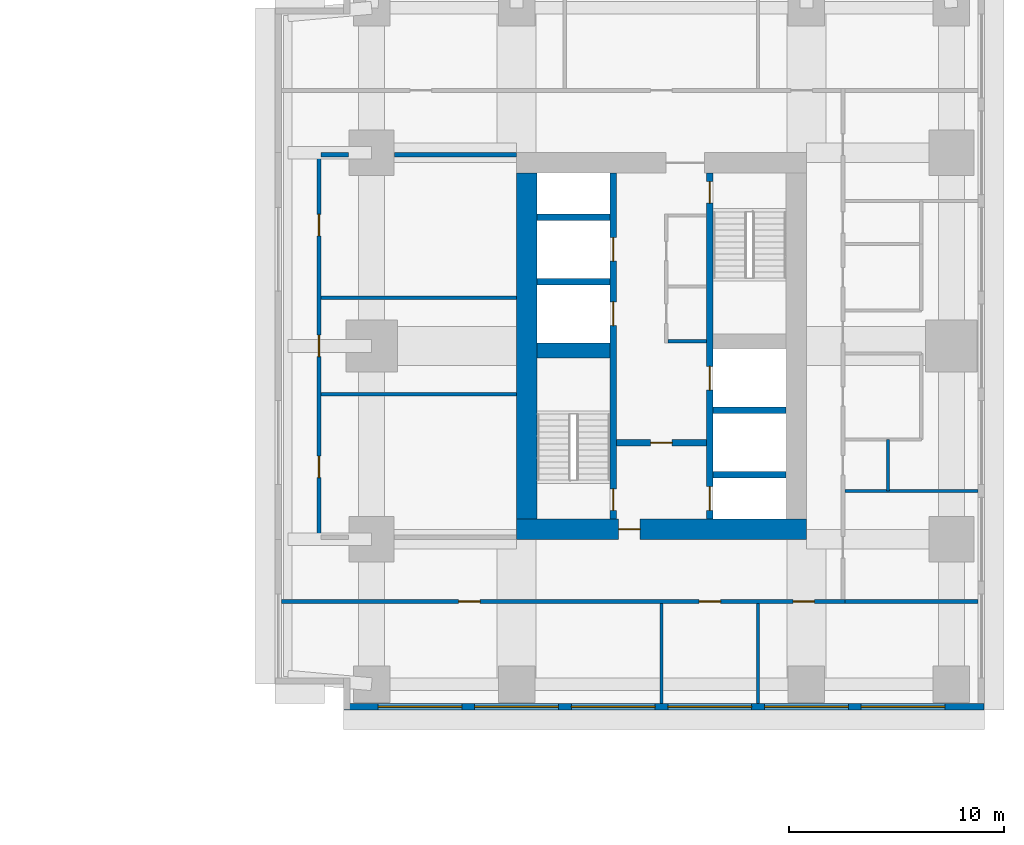
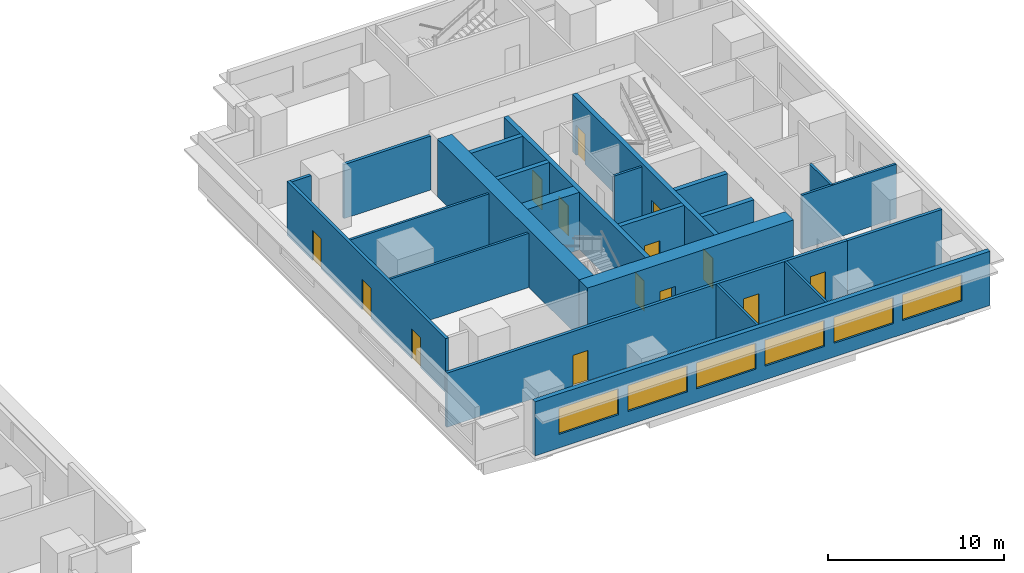
# One storey, part 6 of 11: 23 walls, 14 doors, 6 windows, 20 openings.
"""IFC4 building model written with IfcOpenShell, lengths in metres."""

from ifc_helpers import new_model, si_unit, direction, frame, frame_2d, origin, place, context, subcontext, project, spatial, rectangle, extrude, material, layer, layer_set, type_object, element, fill, save


model = new_model("IFC4")

# Units and contexts
model_context = context("Model", 3, precision=1e-05, world=origin(), true_north=direction((0.0, 1.0)))
body_context = subcontext(model_context, "Body", "Model", "MODEL_VIEW")
ifc_project = project(units=[si_unit("LENGTHUNIT", "METRE"), si_unit("AREAUNIT", "SQUARE_METRE"), si_unit("VOLUMEUNIT", "CUBIC_METRE"), si_unit("PLANEANGLEUNIT", "RADIAN"), si_unit("MASSUNIT", "GRAM", prefix="KILO")], contexts=[model_context])

# Site, building, storey
site_placement = place(None, origin())
site = spatial("IfcSite", under=ifc_project, at=site_placement, CompositionType="ELEMENT")
building_placement = place(site_placement, origin())
building = spatial("IfcBuilding", under=site, at=building_placement, Name="Namib Vertical Campus", CompositionType="ELEMENT")
storey_placement = place(building_placement, frame((0.0, 0.0, 101.0)))
storey = spatial("IfcBuildingStorey", under=building, at=storey_placement, Name="L23", CompositionType="ELEMENT", Elevation=101.0)

# Wall, openings, doors
ifc_material_1 = material(Name="Concrete C60/75", Category="concrete")
ifc_layer_1 = layer(ifc_material_1, 0.300048828125)
ifc_layer_set_1 = layer_set([ifc_layer_1], Name="Concrete C60/75")
wall_type_1 = type_object("IfcWallType", Name="Core inner wall 300", PredefinedType="SHEAR", material=ifc_layer_set_1)
wall_1_placement = place(storey_placement, frame((78.75, 12.199951171875, 0.0), z_axis=(0.0, 0.0, 1.0), x_axis=(0.0, 1.0, 0.0)))
wall_1 = element("IfcWall", 1, at=wall_1_placement, inside=storey, type_object=wall_type_1, Name="Core inner wall B L23 W1", PredefinedType="SHEAR", context=body_context, shape_type="SweptSolid", body=[
    extrude(rectangle(XDim=16.10009765625, YDim=0.300048828125, at=frame_2d((8.050048828125, 0.0))), origin(), (0.0, 0.0, 1.0), 4.0),
])
opening_1_placement = place(wall_1_placement, frame((0.39990234375, 0.0, 0.0)))
opening_1 = element("IfcOpeningElement", 2, at=opening_1_placement, cuts=wall_1, Name="Opening FD1", PredefinedType="OPENING", context=body_context, shape_type="SweptSolid", body=[
    extrude(rectangle(XDim=1.0, YDim=2.10009765625, at=frame_2d((0.5, 1.050048828125))), frame((0.0, 0.159912109375, 0.0), z_axis=(0.0, -1.0, 0.0), x_axis=(1.0, 0.0, 0.0)), (0.0, 0.0, 1.0), 0.320068359375),
])
opening_2_placement = place(wall_1_placement, frame((9.0, 0.0, 0.0)))
opening_2 = element("IfcOpeningElement", 3, at=opening_2_placement, cuts=wall_1, Name="Opening LD1", PredefinedType="OPENING", context=body_context, shape_type="SweptSolid", body=[
    extrude(rectangle(XDim=1.10009765625, YDim=2.10009765625, at=frame_2d((0.550048828125, 1.050048828125))), frame((0.0, 0.159912109375, 0.0), z_axis=(0.0, -1.0, 0.0), x_axis=(1.0, 0.0, 0.0)), (0.0, 0.0, 1.0), 0.320068359375),
])
opening_3_placement = place(wall_1_placement, frame((12.0, 0.0, 0.0)))
opening_3 = element("IfcOpeningElement", 4, at=opening_3_placement, cuts=wall_1, Name="Opening LD1", PredefinedType="OPENING", context=body_context, shape_type="SweptSolid", body=[
    extrude(rectangle(XDim=1.10009765625, YDim=2.10009765625, at=frame_2d((0.550048828125, 1.050048828125))), frame((0.0, 0.159912109375, 0.0), z_axis=(0.0, -1.0, 0.0), x_axis=(1.0, 0.0, 0.0)), (0.0, 0.0, 1.0), 0.320068359375),
])
ifc_material_2 = material(Name="Steel fire door", Category="steel")
door_type_1 = type_object("IfcDoorType", Name="Fire door 1000x2100", OperationType="SINGLE_SWING_RIGHT", PredefinedType="DOOR", material=ifc_material_2)
door_1_placement = place(opening_1_placement, origin())
door_1 = element("IfcDoor", 5, at=door_1_placement, inside=storey, type_object=door_type_1, Name="Stair door FD1 B L23 S1", OperationType="SINGLE_SWING_LEFT", OverallHeight=2.10009765625, OverallWidth=1.0, PredefinedType="DOOR", context=body_context, shape_type="SweptSolid", body=[
    extrude(rectangle(XDim=1.0, YDim=2.10009765625, at=frame_2d((0.5, 1.050048828125))), frame((0.0, 0.02490234375, 0.0), z_axis=(0.0, -1.0, 0.0), x_axis=(1.0, 0.0, 0.0)), (0.0, 0.0, 1.0), 0.050048828125),
])
fill(opening_1, door_1)
ifc_material_3 = material(Name="Stainless steel lift door", Category="steel")
door_type_2 = type_object("IfcDoorType", Name="Lift landing door 1100x2100", OperationType="DOUBLE_DOOR_SLIDING", PredefinedType="DOOR", material=ifc_material_3)
door_2_placement = place(opening_2_placement, origin())
door_2 = element("IfcDoor", 6, at=door_2_placement, inside=storey, type_object=door_type_2, Name="Lift landing door LD1 B-P1 L23", OperationType="DOUBLE_DOOR_SLIDING", OverallHeight=2.10009765625, OverallWidth=1.10009765625, PredefinedType="DOOR", context=body_context, shape_type="SweptSolid", body=[
    extrude(rectangle(XDim=1.10009765625, YDim=2.10009765625, at=frame_2d((0.550048828125, 1.050048828125))), frame((0.0, 0.02490234375, 0.0), z_axis=(0.0, -1.0, 0.0), x_axis=(1.0, 0.0, 0.0)), (0.0, 0.0, 1.0), 0.050048828125),
])
fill(opening_2, door_2)
door_3_placement = place(opening_3_placement, origin())
door_3 = element("IfcDoor", 7, at=door_3_placement, inside=storey, type_object=door_type_2, Name="Lift landing door LD1 B-P2 L23", OperationType="DOUBLE_DOOR_SLIDING", OverallHeight=2.10009765625, OverallWidth=1.10009765625, PredefinedType="DOOR", context=body_context, shape_type="SweptSolid", body=[
    extrude(rectangle(XDim=1.10009765625, YDim=2.10009765625, at=frame_2d((0.550048828125, 1.050048828125))), frame((0.0, 0.02490234375, 0.0), z_axis=(0.0, -1.0, 0.0), x_axis=(1.0, 0.0, 0.0)), (0.0, 0.0, 1.0), 0.050048828125),
])
fill(opening_3, door_3)

wall_2_placement = place(storey_placement, frame((83.25, 12.199951171875, 0.0), z_axis=(0.0, 0.0, 1.0), x_axis=(0.0, 1.0, 0.0)))
wall_2 = element("IfcWall", 8, at=wall_2_placement, inside=storey, type_object=wall_type_1, Name="Core inner wall B L23 W2", PredefinedType="SHEAR", context=body_context, shape_type="SweptSolid", body=[
    extrude(rectangle(XDim=16.10009765625, YDim=0.300048828125, at=frame_2d((8.050048828125, 0.0))), origin(), (0.0, 0.0, 1.0), 4.0),
])
opening_4_placement = place(wall_2_placement, frame((14.699951171875, 0.0, 0.0)))
opening_4 = element("IfcOpeningElement", 9, at=opening_4_placement, cuts=wall_2, Name="Opening FD1", PredefinedType="OPENING", context=body_context, shape_type="SweptSolid", body=[
    extrude(rectangle(XDim=1.0, YDim=2.10009765625, at=frame_2d((0.5, 1.050048828125))), frame((0.0, 0.159912109375, 0.0), z_axis=(0.0, -1.0, 0.0), x_axis=(1.0, 0.0, 0.0)), (0.0, 0.0, 1.0), 0.320068359375),
])
opening_5_placement = place(wall_2_placement, frame((0.39990234375, 0.0, 0.0)))
opening_5 = element("IfcOpeningElement", 10, at=opening_5_placement, cuts=wall_2, Name="Opening LD1", PredefinedType="OPENING", context=body_context, shape_type="SweptSolid", body=[
    extrude(rectangle(XDim=1.10009765625, YDim=2.10009765625, at=frame_2d((0.550048828125, 1.050048828125))), frame((0.0, 0.159912109375, 0.0), z_axis=(0.0, -1.0, 0.0), x_axis=(1.0, 0.0, 0.0)), (0.0, 0.0, 1.0), 0.320068359375),
])
opening_6_placement = place(wall_2_placement, frame((6.0, 0.0, 0.0)))
opening_6 = element("IfcOpeningElement", 11, at=opening_6_placement, cuts=wall_2, Name="Opening LD1", PredefinedType="OPENING", context=body_context, shape_type="SweptSolid", body=[
    extrude(rectangle(XDim=1.10009765625, YDim=2.10009765625, at=frame_2d((0.550048828125, 1.050048828125))), frame((0.0, 0.159912109375, 0.0), z_axis=(0.0, -1.0, 0.0), x_axis=(1.0, 0.0, 0.0)), (0.0, 0.0, 1.0), 0.320068359375),
])
door_4_placement = place(opening_4_placement, frame((1.0, 0.0, 0.0), z_axis=(0.0, 0.0, 1.0), x_axis=(-1.0, 0.0, 0.0)))
door_4 = element("IfcDoor", 12, at=door_4_placement, inside=storey, type_object=door_type_1, Name="Stair door FD1 B L23 S2", OperationType="SINGLE_SWING_LEFT", OverallHeight=2.10009765625, OverallWidth=1.0, PredefinedType="DOOR", context=body_context, shape_type="SweptSolid", body=[
    extrude(rectangle(XDim=1.0, YDim=2.10009765625, at=frame_2d((0.5, 1.050048828125))), frame((0.0, 0.02490234375, 0.0), z_axis=(0.0, -1.0, 0.0), x_axis=(1.0, 0.0, 0.0)), (0.0, 0.0, 1.0), 0.050048828125),
])
fill(opening_4, door_4)
door_5_placement = place(opening_5_placement, origin())
door_5 = element("IfcDoor", 13, at=door_5_placement, inside=storey, type_object=door_type_2, Name="Lift landing door LD1 B-FL1 L23", OperationType="DOUBLE_DOOR_SLIDING", OverallHeight=2.10009765625, OverallWidth=1.10009765625, PredefinedType="DOOR", context=body_context, shape_type="SweptSolid", body=[
    extrude(rectangle(XDim=1.10009765625, YDim=2.10009765625, at=frame_2d((0.550048828125, 1.050048828125))), frame((0.0, 0.02490234375, 0.0), z_axis=(0.0, -1.0, 0.0), x_axis=(1.0, 0.0, 0.0)), (0.0, 0.0, 1.0), 0.050048828125),
])
fill(opening_5, door_5)
door_6_placement = place(opening_6_placement, origin())
door_6 = element("IfcDoor", 14, at=door_6_placement, inside=storey, type_object=door_type_2, Name="Lift landing door LD1 B-P5 L23", OperationType="DOUBLE_DOOR_SLIDING", OverallHeight=2.10009765625, OverallWidth=1.10009765625, PredefinedType="DOOR", context=body_context, shape_type="SweptSolid", body=[
    extrude(rectangle(XDim=1.10009765625, YDim=2.10009765625, at=frame_2d((0.550048828125, 1.050048828125))), frame((0.0, 0.02490234375, 0.0), z_axis=(0.0, -1.0, 0.0), x_axis=(1.0, 0.0, 0.0)), (0.0, 0.0, 1.0), 0.050048828125),
])
fill(opening_6, door_6)

# Wall, opening, door
wall_3_placement = place(storey_placement, frame((78.89990234375, 15.75, 0.0), z_axis=(0.0, 0.0, 1.0), x_axis=(1.0, 0.0, 0.0)))
wall_3 = element("IfcWall", 15, at=wall_3_placement, inside=storey, type_object=wall_type_1, Name="Core inner wall B L23 W4", PredefinedType="SHEAR", context=body_context, shape_type="SweptSolid", body=[
    extrude(rectangle(XDim=4.2001953125, YDim=0.300048828125, at=frame_2d((2.10009765625, 0.0))), origin(), (0.0, 0.0, 1.0), 4.0),
])
opening_7_placement = place(wall_3_placement, frame((1.60009765625, 0.0, 0.0)))
opening_7 = element("IfcOpeningElement", 16, at=opening_7_placement, cuts=wall_3, Name="Opening FD5", PredefinedType="OPENING", context=body_context, shape_type="SweptSolid", body=[
    extrude(rectangle(XDim=1.0, YDim=2.10009765625, at=frame_2d((0.5, 1.050048828125))), frame((0.0, 0.159912109375, 0.0), z_axis=(0.0, -1.0, 0.0), x_axis=(1.0, 0.0, 0.0)), (0.0, 0.0, 1.0), 0.320068359375),
])
ifc_material_4 = material(Name="Steel fire door", Category="steel")
door_type_3 = type_object("IfcDoorType", Name="Fire door 1000x2100 120 min", OperationType="SINGLE_SWING_RIGHT", PredefinedType="DOOR", material=ifc_material_4)
door_7_placement = place(opening_7_placement, frame((1.0, 0.0, 0.0), z_axis=(0.0, 0.0, 1.0), x_axis=(-1.0, 0.0, 0.0)))
door_7 = element("IfcDoor", 17, at=door_7_placement, inside=storey, type_object=door_type_3, Name="Lobby door FD5 B L23", OperationType="SINGLE_SWING_RIGHT", OverallHeight=2.10009765625, OverallWidth=1.0, PredefinedType="DOOR", context=body_context, shape_type="SweptSolid", body=[
    extrude(rectangle(XDim=1.0, YDim=2.10009765625, at=frame_2d((0.5, 1.050048828125))), frame((0.0, 0.02490234375, 0.0), z_axis=(0.0, -1.0, 0.0), x_axis=(1.0, 0.0, 0.0)), (0.0, 0.0, 1.0), 0.050048828125),
])
fill(opening_7, door_7)

# Walls
for number, where, z_axis, x_axis, name in (
    (18, (83.39990234375, 14.25, 0.0), (0.0, 0.0, 1.0), (1.0, 0.0, 0.0), "Core inner wall B L23 W5"),
    (19, (83.39990234375, 17.25, 0.0), (0.0, 0.0, 1.0), (1.0, 0.0, 0.0), "Core inner wall B L23 W6"),
    (20, (75.199951171875, 23.25, 0.0), (0.0, 0.0, 1.0), (1.0, 0.0, 0.0), "Core inner wall B L23 W8"),
    (21, (75.199951171875, 26.25, 0.0), (0.0, 0.0, 1.0), (1.0, 0.0, 0.0), "Core inner wall B L23 W9"),
):
    element("IfcWall", number, at=place(storey_placement, frame(where, z_axis=z_axis, x_axis=x_axis)), inside=storey, type_object=wall_type_1, Name=name, PredefinedType="SHEAR", context=body_context, shape_type="SweptSolid", body=[
        extrude(rectangle(XDim=3.400146484375, YDim=0.300048828125, at=frame_2d((1.7001953125, 0.0))), origin(), (0.0, 0.0, 1.0), 4.0),
    ])
ifc_material_5 = material(Name="Concrete C60/75", Category="concrete")
ifc_layer_2 = layer(ifc_material_5, 0.699951171875)
ifc_layer_set_2 = layer_set([ifc_layer_2], Name="Concrete C60/75")
wall_type_2 = type_object("IfcWallType", Name="Core shear wall 700", PredefinedType="SHEAR", material=ifc_layer_set_2)
wall_4_placement = place(storey_placement, frame((75.199951171875, 20.050048828125, 0.0), z_axis=(0.0, 0.0, 1.0), x_axis=(1.0, 0.0, 0.0)))
element("IfcWall", 22, at=wall_4_placement, inside=storey, type_object=wall_type_2, Name="Core shear wall B L23 W3", PredefinedType="SHEAR", context=body_context, shape_type="SweptSolid", body=[
    extrude(rectangle(XDim=3.400146484375, YDim=0.699951171875, at=frame_2d((1.7001953125, 0.0))), origin(), (0.0, 0.0, 1.0), 4.0),
])

# Wall, opening, door
ifc_material_6 = material(Name="Concrete C60/75", Category="concrete")
ifc_layer_3 = layer(ifc_material_6, 0.949951171875)
ifc_layer_set_3 = layer_set([ifc_layer_3], Name="Concrete C60/75")
wall_type_3 = type_object("IfcWallType", Name="Core wall 950", PredefinedType="SHEAR", material=ifc_layer_set_3)
wall_5_placement = place(storey_placement, frame((74.25, 11.72509765625, 0.0), z_axis=(0.0, 0.0, 1.0), x_axis=(1.0, 0.0, 0.0)))
wall_5 = element("IfcWall", 23, at=wall_5_placement, inside=storey, type_object=wall_type_3, Name="Core wall B L23 1", PredefinedType="SHEAR", context=body_context, shape_type="SweptSolid", body=[
    extrude(rectangle(XDim=13.5, YDim=0.949951171875, at=frame_2d((6.75, 0.0))), origin(), (0.0, 0.0, 1.0), 4.0),
])
opening_8_placement = place(wall_5_placement, frame((4.75, 0.0, 0.0)))
opening_8 = element("IfcOpeningElement", 24, at=opening_8_placement, cuts=wall_5, Name="Opening FD5", PredefinedType="OPENING", context=body_context, shape_type="SweptSolid", body=[
    extrude(rectangle(XDim=1.0, YDim=2.10009765625, at=frame_2d((0.5, 1.050048828125))), frame((0.0, 0.48486328125, 0.0), z_axis=(0.0, -1.0, 0.0), x_axis=(1.0, 0.0, 0.0)), (0.0, 0.0, 1.0), 0.969970703125),
])
door_8_placement = place(opening_8_placement, origin())
door_8 = element("IfcDoor", 25, at=door_8_placement, inside=storey, type_object=door_type_3, Name="Firefighting lobby door FD5 B L23", OperationType="SINGLE_SWING_LEFT", OverallHeight=2.10009765625, OverallWidth=1.0, PredefinedType="DOOR", context=body_context, shape_type="SweptSolid", body=[
    extrude(rectangle(XDim=1.0, YDim=2.10009765625, at=frame_2d((0.5, 1.050048828125))), frame((0.0, 0.02490234375, 0.0), z_axis=(0.0, -1.0, 0.0), x_axis=(1.0, 0.0, 0.0)), (0.0, 0.0, 1.0), 0.050048828125),
])
fill(opening_8, door_8)

# Wall
wall_6_placement = place(storey_placement, frame((74.72509765625, 28.300048828125, 0.0), z_axis=(0.0, 0.0, 1.0), x_axis=(0.0, -1.0, 0.0)))
element("IfcWall", 26, at=wall_6_placement, inside=storey, type_object=wall_type_3, Name="Core wall B L23 4", PredefinedType="SHEAR", context=body_context, shape_type="SweptSolid", body=[
    extrude(rectangle(XDim=16.10009765625, YDim=0.949951171875, at=frame_2d((8.050048828125, 0.0))), origin(), (0.0, 0.0, 1.0), 4.0),
])

# Wall, openings, doors
ifc_material_7 = material(Name="Concrete masonry", Category="masonry")
ifc_layer_4 = layer(ifc_material_7, 0.199951171875)
ifc_layer_set_4 = layer_set([ifc_layer_4], Name="Corridor wall 200")
wall_type_4 = type_object("IfcWallType", Name="Corridor wall 200", PredefinedType="SOLIDWALL", material=ifc_layer_set_4)
wall_7_placement = place(storey_placement, frame((63.300048828125, 8.35009765625, 0.0), z_axis=(0.0, 0.0, 1.0), x_axis=(1.0, 0.0, 0.0)))
wall_7 = element("IfcWall", 27, at=wall_7_placement, inside=storey, type_object=wall_type_4, Name="Corridor wall B L23 CS", PredefinedType="SOLIDWALL", context=body_context, shape_type="SweptSolid", body=[
    extrude(rectangle(XDim=26.25, YDim=0.199951171875, at=frame_2d((13.125, 0.0))), origin(), (0.0, 0.0, 1.0), 3.75),
])
opening_9_placement = place(wall_7_placement, frame((8.25, 0.0, 0.0)))
opening_9 = element("IfcOpeningElement", 28, at=opening_9_placement, cuts=wall_7, Name="Opening CD1", PredefinedType="OPENING", context=body_context, shape_type="SweptSolid", body=[
    extrude(rectangle(XDim=1.0, YDim=2.10009765625, at=frame_2d((0.5, 1.050048828125))), frame((0.0, 0.10986328125, 0.0), z_axis=(0.0, -1.0, 0.0), x_axis=(1.0, 0.0, 0.0)), (0.0, 0.0, 1.0), 0.219970703125),
])
opening_10_placement = place(wall_7_placement, frame((19.449951171875, 0.0, 0.0)))
opening_10 = element("IfcOpeningElement", 29, at=opening_10_placement, cuts=wall_7, Name="Opening CD1", PredefinedType="OPENING", context=body_context, shape_type="SweptSolid", body=[
    extrude(rectangle(XDim=1.0, YDim=2.10009765625, at=frame_2d((0.5, 1.050048828125))), frame((0.0, 0.10986328125, 0.0), z_axis=(0.0, -1.0, 0.0), x_axis=(1.0, 0.0, 0.0)), (0.0, 0.0, 1.0), 0.219970703125),
])
opening_11_placement = place(wall_7_placement, frame((23.824951171875, 0.0, 0.0)))
opening_11 = element("IfcOpeningElement", 30, at=opening_11_placement, cuts=wall_7, Name="Opening CD1", PredefinedType="OPENING", context=body_context, shape_type="SweptSolid", body=[
    extrude(rectangle(XDim=1.0, YDim=2.10009765625, at=frame_2d((0.5, 1.050048828125))), frame((0.0, 0.10986328125, 0.0), z_axis=(0.0, -1.0, 0.0), x_axis=(1.0, 0.0, 0.0)), (0.0, 0.0, 1.0), 0.219970703125),
])
ifc_material_8 = material(Name="Timber fire door leaf", Category="wood")
door_type_4 = type_object("IfcDoorType", Name="Corridor door 1000x2100 20 min", OperationType="SINGLE_SWING_LEFT", PredefinedType="DOOR", material=ifc_material_8)
door_9_placement = place(opening_9_placement, frame((1.0, 0.0, 0.0), z_axis=(0.0, 0.0, 1.0), x_axis=(-1.0, 0.0, 0.0)))
door_9 = element("IfcDoor", 31, at=door_9_placement, inside=storey, type_object=door_type_4, Name="Door CD1 B23-01", OperationType="SINGLE_SWING_LEFT", OverallHeight=2.10009765625, OverallWidth=1.0, PredefinedType="DOOR", context=body_context, shape_type="SweptSolid", body=[
    extrude(rectangle(XDim=1.0, YDim=2.10009765625, at=frame_2d((0.5, 1.050048828125))), frame((0.0, 0.02490234375, 0.0), z_axis=(0.0, -1.0, 0.0), x_axis=(1.0, 0.0, 0.0)), (0.0, 0.0, 1.0), 0.050048828125),
])
fill(opening_9, door_9)
door_10_placement = place(opening_10_placement, frame((1.0, 0.0, 0.0), z_axis=(0.0, 0.0, 1.0), x_axis=(-1.0, 0.0, 0.0)))
door_10 = element("IfcDoor", 32, at=door_10_placement, inside=storey, type_object=door_type_4, Name="Door CD1 B23-02", OperationType="SINGLE_SWING_RIGHT", OverallHeight=2.10009765625, OverallWidth=1.0, PredefinedType="DOOR", context=body_context, shape_type="SweptSolid", body=[
    extrude(rectangle(XDim=1.0, YDim=2.10009765625, at=frame_2d((0.5, 1.050048828125))), frame((0.0, 0.02490234375, 0.0), z_axis=(0.0, -1.0, 0.0), x_axis=(1.0, 0.0, 0.0)), (0.0, 0.0, 1.0), 0.050048828125),
])
fill(opening_10, door_10)
door_11_placement = place(opening_11_placement, frame((1.0, 0.0, 0.0), z_axis=(0.0, 0.0, 1.0), x_axis=(-1.0, 0.0, 0.0)))
door_11 = element("IfcDoor", 33, at=door_11_placement, inside=storey, type_object=door_type_4, Name="Door CD1 B23-03", OperationType="SINGLE_SWING_RIGHT", OverallHeight=2.10009765625, OverallWidth=1.0, PredefinedType="DOOR", context=body_context, shape_type="SweptSolid", body=[
    extrude(rectangle(XDim=1.0, YDim=2.10009765625, at=frame_2d((0.5, 1.050048828125))), frame((0.0, 0.02490234375, 0.0), z_axis=(0.0, -1.0, 0.0), x_axis=(1.0, 0.0, 0.0)), (0.0, 0.0, 1.0), 0.050048828125),
])
fill(opening_11, door_11)

wall_8_placement = place(storey_placement, frame((65.050048828125, 29.25, 0.0), z_axis=(0.0, 0.0, 1.0), x_axis=(0.0, -1.0, 0.0)))
wall_8 = element("IfcWall", 34, at=wall_8_placement, inside=storey, type_object=wall_type_4, Name="Corridor wall B L23 CG", PredefinedType="SOLIDWALL", context=body_context, shape_type="SweptSolid", body=[
    extrude(rectangle(XDim=18.0, YDim=0.199951171875, at=frame_2d((9.0, 0.0))), origin(), (0.0, 0.0, 1.0), 3.75),
])
opening_12_placement = place(wall_8_placement, frame((14.125, 0.0, 0.0)))
opening_12 = element("IfcOpeningElement", 35, at=opening_12_placement, cuts=wall_8, Name="Opening CD1", PredefinedType="OPENING", context=body_context, shape_type="SweptSolid", body=[
    extrude(rectangle(XDim=1.0, YDim=2.10009765625, at=frame_2d((0.5, 1.050048828125))), frame((0.0, 0.10986328125, 0.0), z_axis=(0.0, -1.0, 0.0), x_axis=(1.0, 0.0, 0.0)), (0.0, 0.0, 1.0), 0.219970703125),
])
opening_13_placement = place(wall_8_placement, frame((8.5, 0.0, 0.0)))
opening_13 = element("IfcOpeningElement", 36, at=opening_13_placement, cuts=wall_8, Name="Opening CD1", PredefinedType="OPENING", context=body_context, shape_type="SweptSolid", body=[
    extrude(rectangle(XDim=1.0, YDim=2.10009765625, at=frame_2d((0.5, 1.050048828125))), frame((0.0, 0.10986328125, 0.0), z_axis=(0.0, -1.0, 0.0), x_axis=(1.0, 0.0, 0.0)), (0.0, 0.0, 1.0), 0.219970703125),
])
opening_14_placement = place(wall_8_placement, frame((2.875, 0.0, 0.0)))
opening_14 = element("IfcOpeningElement", 37, at=opening_14_placement, cuts=wall_8, Name="Opening CD1", PredefinedType="OPENING", context=body_context, shape_type="SweptSolid", body=[
    extrude(rectangle(XDim=1.0, YDim=2.10009765625, at=frame_2d((0.5, 1.050048828125))), frame((0.0, 0.10986328125, 0.0), z_axis=(0.0, -1.0, 0.0), x_axis=(1.0, 0.0, 0.0)), (0.0, 0.0, 1.0), 0.219970703125),
])
door_12_placement = place(opening_12_placement, origin())
door_12 = element("IfcDoor", 38, at=door_12_placement, inside=storey, type_object=door_type_4, Name="Door CD1 B23-14", OperationType="SINGLE_SWING_LEFT", OverallHeight=2.10009765625, OverallWidth=1.0, PredefinedType="DOOR", context=body_context, shape_type="SweptSolid", body=[
    extrude(rectangle(XDim=1.0, YDim=2.10009765625, at=frame_2d((0.5, 1.050048828125))), frame((0.0, 0.02490234375, 0.0), z_axis=(0.0, -1.0, 0.0), x_axis=(1.0, 0.0, 0.0)), (0.0, 0.0, 1.0), 0.050048828125),
])
fill(opening_12, door_12)
door_13_placement = place(opening_13_placement, origin())
door_13 = element("IfcDoor", 39, at=door_13_placement, inside=storey, type_object=door_type_4, Name="Door CD1 B23-15", OperationType="SINGLE_SWING_LEFT", OverallHeight=2.10009765625, OverallWidth=1.0, PredefinedType="DOOR", context=body_context, shape_type="SweptSolid", body=[
    extrude(rectangle(XDim=1.0, YDim=2.10009765625, at=frame_2d((0.5, 1.050048828125))), frame((0.0, 0.02490234375, 0.0), z_axis=(0.0, -1.0, 0.0), x_axis=(1.0, 0.0, 0.0)), (0.0, 0.0, 1.0), 0.050048828125),
])
fill(opening_13, door_13)
door_14_placement = place(opening_14_placement, origin())
door_14 = element("IfcDoor", 40, at=door_14_placement, inside=storey, type_object=door_type_4, Name="Door CD1 B23-16", OperationType="SINGLE_SWING_LEFT", OverallHeight=2.10009765625, OverallWidth=1.0, PredefinedType="DOOR", context=body_context, shape_type="SweptSolid", body=[
    extrude(rectangle(XDim=1.0, YDim=2.10009765625, at=frame_2d((0.5, 1.050048828125))), frame((0.0, 0.02490234375, 0.0), z_axis=(0.0, -1.0, 0.0), x_axis=(1.0, 0.0, 0.0)), (0.0, 0.0, 1.0), 0.050048828125),
])
fill(opening_14, door_14)

# Walls
wall_9_placement = place(storey_placement, frame((65.14990234375, 29.14990234375, 0.0), z_axis=(0.0, 0.0, 1.0), x_axis=(1.0, 0.0, 0.0)))
element("IfcWall", 41, at=wall_9_placement, inside=storey, type_object=wall_type_4, Name="Corridor wall B L23 GN", PredefinedType="SOLIDWALL", context=body_context, shape_type="SweptSolid", body=[
    extrude(rectangle(XDim=1.280029296875, YDim=0.199951171875, at=frame_2d((0.64013671875, 0.0))), origin(), (0.0, 0.0, 1.0), 3.75),
])
wall_10_placement = place(storey_placement, frame((68.570068359375, 29.14990234375, 0.0), z_axis=(0.0, 0.0, 1.0), x_axis=(1.0, 0.0, 0.0)))
element("IfcWall", 42, at=wall_10_placement, inside=storey, type_object=wall_type_4, Name="Corridor wall B L23 GN", PredefinedType="SOLIDWALL", context=body_context, shape_type="SweptSolid", body=[
    extrude(rectangle(XDim=5.679931640625, YDim=0.199951171875, at=frame_2d((2.83984375, 0.0))), origin(), (0.0, 0.0, 1.0), 3.75),
])
wall_11_placement = place(storey_placement, frame((89.550048828125, 8.35009765625, 0.0), z_axis=(0.0, 0.0, 1.0), x_axis=(1.0, 0.0, 0.0)))
element("IfcWall", 43, at=wall_11_placement, inside=storey, type_object=wall_type_4, Name="Partition B L23 BSE", PredefinedType="SOLIDWALL", context=body_context, shape_type="SweptSolid", body=[
    extrude(rectangle(XDim=6.199951171875, YDim=0.199951171875, at=frame_2d((3.10009765625, 0.0))), origin(), (0.0, 0.0, 1.0), 3.75),
])

# Wall, openings, windows
ifc_material_9 = material(Name="Concrete C40/50", Category="concrete")
ifc_layer_5 = layer(ifc_material_9, 0.300048828125)
ifc_layer_set_5 = layer_set([ifc_layer_5], Name="Concrete C40/50")
wall_type_5 = type_object("IfcWallType", Name="External wall 300 board-marked concrete", PredefinedType="STANDARD", material=ifc_layer_set_5)
wall_12_placement = place(storey_placement, frame((66.219970703125, 3.449951171875, 0.0), z_axis=(0.0, 0.0, 1.0), x_axis=(1.0, 0.0, 0.0)))
wall_12 = element("IfcWall", 44, at=wall_12_placement, inside=storey, type_object=wall_type_5, Name="External wall L23 F03", PredefinedType="STANDARD", context=body_context, shape_type="SweptSolid", body=[
    extrude(rectangle(XDim=29.81005859375, YDim=0.300048828125, at=frame_2d((14.905029296875, 0.0))), origin(), (0.0, 0.0, 1.0), 3.75),
])
opening_15_placement = place(wall_12_placement, frame((1.580078125, 0.0, 0.949951171875)))
opening_15 = element("IfcOpeningElement", 45, at=opening_15_placement, cuts=wall_12, Name="Opening W3", PredefinedType="OPENING", context=body_context, shape_type="SweptSolid", body=[
    extrude(rectangle(XDim=3.89990234375, YDim=1.800048828125, at=frame_2d((1.949951171875, 0.89990234375))), frame((0.0, 0.159912109375, 0.0), z_axis=(0.0, -1.0, 0.0), x_axis=(1.0, 0.0, 0.0)), (0.0, 0.0, 1.0), 0.320068359375),
])
opening_16_placement = place(wall_12_placement, frame((6.080078125, 0.0, 0.949951171875)))
opening_16 = element("IfcOpeningElement", 46, at=opening_16_placement, cuts=wall_12, Name="Opening W3", PredefinedType="OPENING", context=body_context, shape_type="SweptSolid", body=[
    extrude(rectangle(XDim=3.89990234375, YDim=1.800048828125, at=frame_2d((1.949951171875, 0.89990234375))), frame((0.0, 0.159912109375, 0.0), z_axis=(0.0, -1.0, 0.0), x_axis=(1.0, 0.0, 0.0)), (0.0, 0.0, 1.0), 0.320068359375),
])
opening_17_placement = place(wall_12_placement, frame((10.580078125, 0.0, 0.949951171875)))
opening_17 = element("IfcOpeningElement", 47, at=opening_17_placement, cuts=wall_12, Name="Opening W3", PredefinedType="OPENING", context=body_context, shape_type="SweptSolid", body=[
    extrude(rectangle(XDim=3.89990234375, YDim=1.800048828125, at=frame_2d((1.949951171875, 0.89990234375))), frame((0.0, 0.159912109375, 0.0), z_axis=(0.0, -1.0, 0.0), x_axis=(1.0, 0.0, 0.0)), (0.0, 0.0, 1.0), 0.320068359375),
])
opening_18_placement = place(wall_12_placement, frame((15.080078125, 0.0, 0.949951171875)))
opening_18 = element("IfcOpeningElement", 48, at=opening_18_placement, cuts=wall_12, Name="Opening W3", PredefinedType="OPENING", context=body_context, shape_type="SweptSolid", body=[
    extrude(rectangle(XDim=3.89990234375, YDim=1.800048828125, at=frame_2d((1.949951171875, 0.89990234375))), frame((0.0, 0.159912109375, 0.0), z_axis=(0.0, -1.0, 0.0), x_axis=(1.0, 0.0, 0.0)), (0.0, 0.0, 1.0), 0.320068359375),
])
opening_19_placement = place(wall_12_placement, frame((19.580078125, 0.0, 0.949951171875)))
opening_19 = element("IfcOpeningElement", 49, at=opening_19_placement, cuts=wall_12, Name="Opening W3", PredefinedType="OPENING", context=body_context, shape_type="SweptSolid", body=[
    extrude(rectangle(XDim=3.89990234375, YDim=1.800048828125, at=frame_2d((1.949951171875, 0.89990234375))), frame((0.0, 0.159912109375, 0.0), z_axis=(0.0, -1.0, 0.0), x_axis=(1.0, 0.0, 0.0)), (0.0, 0.0, 1.0), 0.320068359375),
])
opening_20_placement = place(wall_12_placement, frame((24.080078125, 0.0, 0.949951171875)))
opening_20 = element("IfcOpeningElement", 50, at=opening_20_placement, cuts=wall_12, Name="Opening W3", PredefinedType="OPENING", context=body_context, shape_type="SweptSolid", body=[
    extrude(rectangle(XDim=3.89990234375, YDim=1.800048828125, at=frame_2d((1.949951171875, 0.89990234375))), frame((0.0, 0.159912109375, 0.0), z_axis=(0.0, -1.0, 0.0), x_axis=(1.0, 0.0, 0.0)), (0.0, 0.0, 1.0), 0.320068359375),
])
ifc_material_10 = material(Name="Dark tinted glass in black aluminium frame", Category="aluminium")
window_type = type_object("IfcWindowType", Name="Ribbon window 3900x1800", PartitioningType="SINGLE_PANEL", PredefinedType="WINDOW", material=ifc_material_10)
window_1_placement = place(opening_15_placement, origin())
window_1 = element("IfcWindow", 51, at=window_1_placement, inside=storey, type_object=window_type, Name="Window W3 L23 F03-1", OverallHeight=1.800048828125, OverallWidth=3.89990234375, PartitioningType="SINGLE_PANEL", PredefinedType="WINDOW", context=body_context, shape_type="SweptSolid", body=[
    extrude(rectangle(XDim=3.89990234375, YDim=1.800048828125, at=frame_2d((1.949951171875, 0.89990234375))), frame((0.0, 0.030029296875, 0.0), z_axis=(0.0, -1.0, 0.0), x_axis=(1.0, 0.0, 0.0)), (0.0, 0.0, 1.0), 0.06005859375),
])
fill(opening_15, window_1)
window_2_placement = place(opening_16_placement, origin())
window_2 = element("IfcWindow", 52, at=window_2_placement, inside=storey, type_object=window_type, Name="Window W3 L23 F03-2", OverallHeight=1.800048828125, OverallWidth=3.89990234375, PartitioningType="SINGLE_PANEL", PredefinedType="WINDOW", context=body_context, shape_type="SweptSolid", body=[
    extrude(rectangle(XDim=3.89990234375, YDim=1.800048828125, at=frame_2d((1.949951171875, 0.89990234375))), frame((0.0, 0.030029296875, 0.0), z_axis=(0.0, -1.0, 0.0), x_axis=(1.0, 0.0, 0.0)), (0.0, 0.0, 1.0), 0.06005859375),
])
fill(opening_16, window_2)
window_3_placement = place(opening_17_placement, origin())
window_3 = element("IfcWindow", 53, at=window_3_placement, inside=storey, type_object=window_type, Name="Window W3 L23 F03-3", OverallHeight=1.800048828125, OverallWidth=3.89990234375, PartitioningType="SINGLE_PANEL", PredefinedType="WINDOW", context=body_context, shape_type="SweptSolid", body=[
    extrude(rectangle(XDim=3.89990234375, YDim=1.800048828125, at=frame_2d((1.949951171875, 0.89990234375))), frame((0.0, 0.030029296875, 0.0), z_axis=(0.0, -1.0, 0.0), x_axis=(1.0, 0.0, 0.0)), (0.0, 0.0, 1.0), 0.06005859375),
])
fill(opening_17, window_3)
window_4_placement = place(opening_18_placement, origin())
window_4 = element("IfcWindow", 54, at=window_4_placement, inside=storey, type_object=window_type, Name="Window W3 L23 F03-4", OverallHeight=1.800048828125, OverallWidth=3.89990234375, PartitioningType="SINGLE_PANEL", PredefinedType="WINDOW", context=body_context, shape_type="SweptSolid", body=[
    extrude(rectangle(XDim=3.89990234375, YDim=1.800048828125, at=frame_2d((1.949951171875, 0.89990234375))), frame((0.0, 0.030029296875, 0.0), z_axis=(0.0, -1.0, 0.0), x_axis=(1.0, 0.0, 0.0)), (0.0, 0.0, 1.0), 0.06005859375),
])
fill(opening_18, window_4)
window_5_placement = place(opening_19_placement, origin())
window_5 = element("IfcWindow", 55, at=window_5_placement, inside=storey, type_object=window_type, Name="Window W3 L23 F03-5", OverallHeight=1.800048828125, OverallWidth=3.89990234375, PartitioningType="SINGLE_PANEL", PredefinedType="WINDOW", context=body_context, shape_type="SweptSolid", body=[
    extrude(rectangle(XDim=3.89990234375, YDim=1.800048828125, at=frame_2d((1.949951171875, 0.89990234375))), frame((0.0, 0.030029296875, 0.0), z_axis=(0.0, -1.0, 0.0), x_axis=(1.0, 0.0, 0.0)), (0.0, 0.0, 1.0), 0.06005859375),
])
fill(opening_19, window_5)
window_6_placement = place(opening_20_placement, origin())
window_6 = element("IfcWindow", 56, at=window_6_placement, inside=storey, type_object=window_type, Name="Window W3 L23 F03-6", OverallHeight=1.800048828125, OverallWidth=3.89990234375, PartitioningType="SINGLE_PANEL", PredefinedType="WINDOW", context=body_context, shape_type="SweptSolid", body=[
    extrude(rectangle(XDim=3.89990234375, YDim=1.800048828125, at=frame_2d((1.949951171875, 0.89990234375))), frame((0.0, 0.030029296875, 0.0), z_axis=(0.0, -1.0, 0.0), x_axis=(1.0, 0.0, 0.0)), (0.0, 0.0, 1.0), 0.06005859375),
])
fill(opening_20, window_6)

# Walls
ifc_material_11 = material(Name="Gypsum board on steel studs", Category="steel")
ifc_layer_6 = layer(ifc_material_11, 0.14990234375)
ifc_layer_set_6 = layer_set([ifc_layer_6], Name="Gypsum board on steel studs")
wall_type_6 = type_object("IfcWallType", Name="Partition 150", PredefinedType="PARTITIONING", material=ifc_layer_set_6)
wall_13_placement = place(storey_placement, frame((81.300048828125, 20.47509765625, 0.0), z_axis=(0.0, 0.0, 1.0), x_axis=(1.0, 0.0, 0.0)))
element("IfcWall", 57, at=wall_13_placement, inside=storey, type_object=wall_type_6, Name="Partition B L23 Comms room and Store end 1", PredefinedType="PARTITIONING", context=body_context, shape_type="SweptSolid", body=[
    extrude(rectangle(XDim=1.800048828125, YDim=0.14990234375, at=frame_2d((0.89990234375, 0.0))), origin(), (0.0, 0.0, 1.0), 3.75),
])
for number, where, z_axis, x_axis, name in (
    (58, (81.0, 3.60009765625, 0.0), (0.0, 0.0, 1.0), (0.0, 1.0, 0.0), "Partition B L23 PS1"),
    (59, (85.5, 3.60009765625, 0.0), (0.0, 0.0, 1.0), (0.0, 1.0, 0.0), "Partition B L23 PS2"),
):
    element("IfcWall", number, at=place(storey_placement, frame(where, z_axis=z_axis, x_axis=x_axis)), inside=storey, type_object=wall_type_6, Name=name, PredefinedType="PARTITIONING", context=body_context, shape_type="SweptSolid", body=[
        extrude(rectangle(XDim=4.64990234375, YDim=0.14990234375, at=frame_2d((2.324951171875, 0.0))), origin(), (0.0, 0.0, 1.0), 3.75),
    ])
wall_14_placement = place(storey_placement, frame((89.550048828125, 13.5, 0.0), z_axis=(0.0, 0.0, 1.0), x_axis=(1.0, 0.0, 0.0)))
element("IfcWall", 60, at=wall_14_placement, inside=storey, type_object=wall_type_6, Name="Partition B L23 PE1", PredefinedType="PARTITIONING", context=body_context, shape_type="SweptSolid", body=[
    extrude(rectangle(XDim=6.199951171875, YDim=0.14990234375, at=frame_2d((3.10009765625, 0.0))), origin(), (0.0, 0.0, 1.0), 3.75),
])
for number, where, z_axis, x_axis, name in (
    (61, (65.14990234375, 18.0, 0.0), (0.0, 0.0, 1.0), (1.0, 0.0, 0.0), "Partition B L23 PW1"),
    (62, (65.14990234375, 22.5, 0.0), (0.0, 0.0, 1.0), (1.0, 0.0, 0.0), "Partition B L23 PW2"),
):
    element("IfcWall", number, at=place(storey_placement, frame(where, z_axis=z_axis, x_axis=x_axis)), inside=storey, type_object=wall_type_6, Name=name, PredefinedType="PARTITIONING", context=body_context, shape_type="SweptSolid", body=[
        extrude(rectangle(XDim=9.10009765625, YDim=0.14990234375, at=frame_2d((4.550048828125, 0.0))), origin(), (0.0, 0.0, 1.0), 3.75),
    ])
wall_15_placement = place(storey_placement, frame((91.550048828125, 13.5, 0.0), z_axis=(0.0, 0.0, 1.0), x_axis=(0.0, 1.0, 0.0)))
element("IfcWall", 63, at=wall_15_placement, inside=storey, type_object=wall_type_6, Name="Partition B L23 WB1", PredefinedType="PARTITIONING", context=body_context, shape_type="SweptSolid", body=[
    extrude(rectangle(XDim=2.39990234375, YDim=0.14990234375, at=frame_2d((1.199951171875, 0.0))), origin(), (0.0, 0.0, 1.0), 3.75),
])

save(model, "model.ifc")
